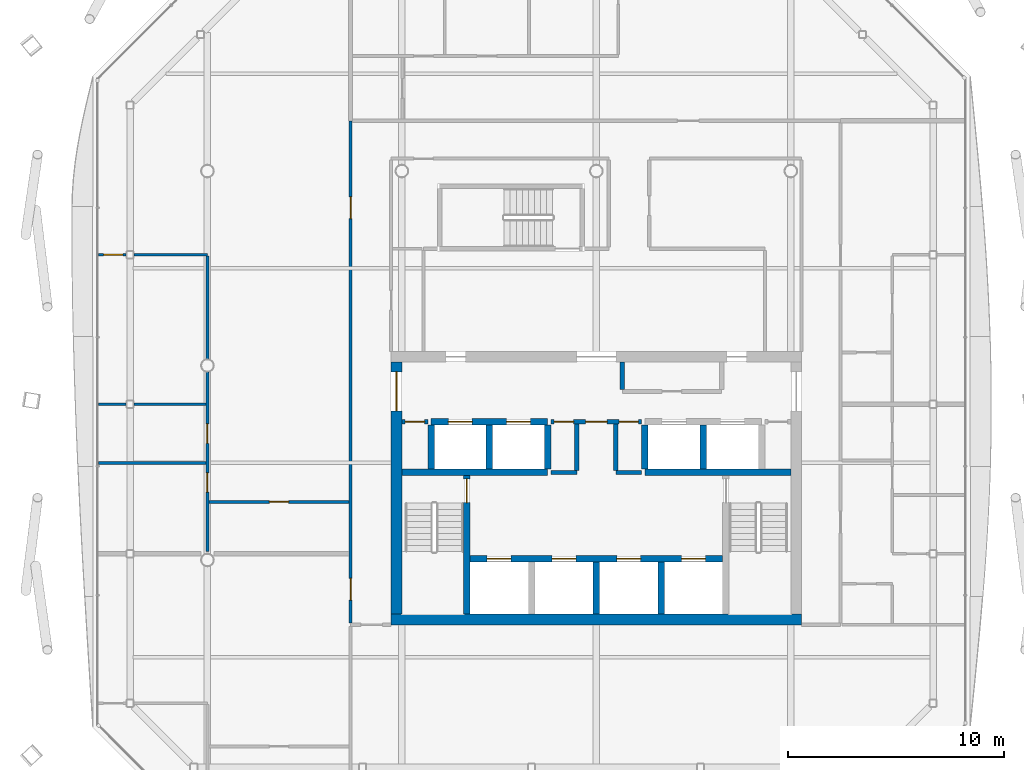
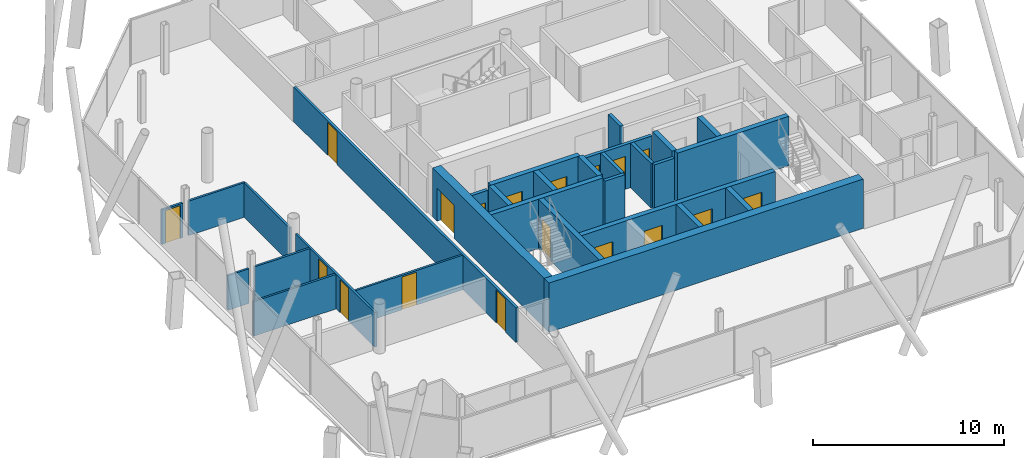
# One storey, part 13 of 19: 30 walls, 18 doors, 18 openings.
"""IFC4 building model written with IfcOpenShell, lengths in metres."""

from ifc_helpers import new_model, si_unit, direction, frame, frame_2d, origin, place, context, subcontext, project, spatial, rectangle, extrude, material, layer, layer_set, type_object, element, fill, save


model = new_model("IFC4")

# Units and contexts
model_context = context("Model", 3, precision=1e-05, world=origin(), true_north=direction((0.0, 1.0)))
body_context = subcontext(model_context, "Body", "Model", "MODEL_VIEW")
ifc_project = project(units=[si_unit("LENGTHUNIT", "METRE"), si_unit("AREAUNIT", "SQUARE_METRE"), si_unit("VOLUMEUNIT", "CUBIC_METRE"), si_unit("PLANEANGLEUNIT", "RADIAN"), si_unit("MASSUNIT", "GRAM", prefix="KILO")], contexts=[model_context])

# Site, building, storey
site_placement = place(None, origin())
site = spatial("IfcSite", under=ifc_project, at=site_placement, CompositionType="ELEMENT")
building_placement = place(site_placement, origin())
building = spatial("IfcBuilding", under=site, at=building_placement, Name="Tskaro Facet Tower", CompositionType="ELEMENT")
storey_placement = place(building_placement, frame((0.0, 0.0, 191.10009765625)))
storey = spatial("IfcBuildingStorey", under=building, at=storey_placement, Name="L48", CompositionType="ELEMENT", Elevation=191.10009765625)

# Wall, openings, doors
ifc_material_1 = material(Name="Concrete C60/75", Category="concrete")
ifc_layer_1 = layer(ifc_material_1, 0.300048828125, Name="Concrete C60/75")
ifc_layer_set_1 = layer_set([ifc_layer_1], Name="Concrete C60/75")
wall_type_1 = type_object("IfcWallType", Name="CORE-SHAFT", PredefinedType="SHEAR", material=ifc_layer_set_1)
wall_1_placement = place(storey_placement, frame((-5.85009765625, -8.949951171875, 0.0), z_axis=(0.0, 0.0, 1.0), x_axis=(1.0, 0.0, 0.0)))
wall_1 = element("IfcWall", 1, at=wall_1_placement, inside=storey, type_object=wall_type_1, Name="Shaft wall W008", PredefinedType="SHEAR", context=body_context, shape_type="SweptSolid", body=[
    extrude(rectangle(XDim=11.7001953125, YDim=0.300048828125, at=frame_2d((5.85009765625, 0.0))), origin(), (0.0, 0.0, 1.0), 3.14990234375),
])
opening_1_placement = place(wall_1_placement, frame((0.800048828125, 0.0, 0.0)))
opening_1 = element("IfcOpeningElement", 2, at=opening_1_placement, cuts=wall_1, Name="Opening LD-FF1", PredefinedType="OPENING", context=body_context, shape_type="SweptSolid", body=[
    extrude(rectangle(XDim=1.10009765625, YDim=2.10009765625, at=frame_2d((0.550048828125, 1.050048828125))), frame((0.0, 0.159912109375, 0.0), z_axis=(0.0, -1.0, 0.0), x_axis=(1.0, 0.0, 0.0)), (0.0, 0.0, 1.0), 0.320068359375),
])
opening_2_placement = place(wall_1_placement, frame((3.800048828125, 0.0, 0.0)))
opening_2 = element("IfcOpeningElement", 3, at=opening_2_placement, cuts=wall_1, Name="Opening LD-FF2", PredefinedType="OPENING", context=body_context, shape_type="SweptSolid", body=[
    extrude(rectangle(XDim=1.10009765625, YDim=2.10009765625, at=frame_2d((0.550048828125, 1.050048828125))), frame((0.0, 0.159912109375, 0.0), z_axis=(0.0, -1.0, 0.0), x_axis=(1.0, 0.0, 0.0)), (0.0, 0.0, 1.0), 0.320068359375),
])
opening_3_placement = place(wall_1_placement, frame((6.800048828125, 0.0, 0.0)))
opening_3 = element("IfcOpeningElement", 4, at=opening_3_placement, cuts=wall_1, Name="Opening LD-SV1", PredefinedType="OPENING", context=body_context, shape_type="SweptSolid", body=[
    extrude(rectangle(XDim=1.10009765625, YDim=2.10009765625, at=frame_2d((0.550048828125, 1.050048828125))), frame((0.0, 0.159912109375, 0.0), z_axis=(0.0, -1.0, 0.0), x_axis=(1.0, 0.0, 0.0)), (0.0, 0.0, 1.0), 0.320068359375),
])
opening_4_placement = place(wall_1_placement, frame((9.800048828125, 0.0, 0.0)))
opening_4 = element("IfcOpeningElement", 5, at=opening_4_placement, cuts=wall_1, Name="Opening LD-SV2", PredefinedType="OPENING", context=body_context, shape_type="SweptSolid", body=[
    extrude(rectangle(XDim=1.10009765625, YDim=2.10009765625, at=frame_2d((0.550048828125, 1.050048828125))), frame((0.0, 0.159912109375, 0.0), z_axis=(0.0, -1.0, 0.0), x_axis=(1.0, 0.0, 0.0)), (0.0, 0.0, 1.0), 0.320068359375),
])
ifc_material_2 = material(Name="Stainless steel", Category="steel")
door_type_1 = type_object("IfcDoorType", Name="D-LANDING", OperationType="NOTDEFINED", PredefinedType="DOOR", material=ifc_material_2)
door_1_placement = place(opening_1_placement, origin())
door_1 = element("IfcDoor", 6, at=door_1_placement, inside=storey, type_object=door_type_1, Name="Landing door FF1", OperationType="DOUBLE_DOOR_SLIDING", OverallHeight=2.10009765625, OverallWidth=1.10009765625, PredefinedType="DOOR", context=body_context, shape_type="SweptSolid", body=[
    extrude(rectangle(XDim=1.10009765625, YDim=2.10009765625, at=frame_2d((0.550048828125, 1.050048828125))), frame((0.0, 0.02490234375, 0.0), z_axis=(0.0, -1.0, 0.0), x_axis=(1.0, 0.0, 0.0)), (0.0, 0.0, 1.0), 0.050048828125),
])
fill(opening_1, door_1)
door_2_placement = place(opening_2_placement, origin())
door_2 = element("IfcDoor", 7, at=door_2_placement, inside=storey, type_object=door_type_1, Name="Landing door FF2", OperationType="DOUBLE_DOOR_SLIDING", OverallHeight=2.10009765625, OverallWidth=1.10009765625, PredefinedType="DOOR", context=body_context, shape_type="SweptSolid", body=[
    extrude(rectangle(XDim=1.10009765625, YDim=2.10009765625, at=frame_2d((0.550048828125, 1.050048828125))), frame((0.0, 0.02490234375, 0.0), z_axis=(0.0, -1.0, 0.0), x_axis=(1.0, 0.0, 0.0)), (0.0, 0.0, 1.0), 0.050048828125),
])
fill(opening_2, door_2)
door_3_placement = place(opening_3_placement, origin())
door_3 = element("IfcDoor", 8, at=door_3_placement, inside=storey, type_object=door_type_1, Name="Landing door SV1", OperationType="DOUBLE_DOOR_SLIDING", OverallHeight=2.10009765625, OverallWidth=1.10009765625, PredefinedType="DOOR", context=body_context, shape_type="SweptSolid", body=[
    extrude(rectangle(XDim=1.10009765625, YDim=2.10009765625, at=frame_2d((0.550048828125, 1.050048828125))), frame((0.0, 0.02490234375, 0.0), z_axis=(0.0, -1.0, 0.0), x_axis=(1.0, 0.0, 0.0)), (0.0, 0.0, 1.0), 0.050048828125),
])
fill(opening_3, door_3)
door_4_placement = place(opening_4_placement, origin())
door_4 = element("IfcDoor", 9, at=door_4_placement, inside=storey, type_object=door_type_1, Name="Landing door SV2", OperationType="DOUBLE_DOOR_SLIDING", OverallHeight=2.10009765625, OverallWidth=1.10009765625, PredefinedType="DOOR", context=body_context, shape_type="SweptSolid", body=[
    extrude(rectangle(XDim=1.10009765625, YDim=2.10009765625, at=frame_2d((0.550048828125, 1.050048828125))), frame((0.0, 0.02490234375, 0.0), z_axis=(0.0, -1.0, 0.0), x_axis=(1.0, 0.0, 0.0)), (0.0, 0.0, 1.0), 0.050048828125),
])
fill(opening_4, door_4)

# Walls
for number, where, z_axis, x_axis, name in (
    (10, (-9.0, -4.949951171875, 0.0), (0.0, 0.0, 1.0), (1.0, 0.0, 0.0), "Shaft wall W016"),
    (11, (2.25, -4.949951171875, 0.0), (0.0, 0.0, 1.0), (1.0, 0.0, 0.0), "Shaft wall W019"),
):
    element("IfcWall", number, at=place(storey_placement, frame(where, z_axis=z_axis, x_axis=x_axis)), inside=storey, type_object=wall_type_1, Name=name, PredefinedType="SHEAR", context=body_context, shape_type="SweptSolid", body=[
        extrude(rectangle(XDim=6.75, YDim=0.300048828125, at=frame_2d((3.375, 0.0))), origin(), (0.0, 0.0, 1.0), 3.14990234375),
    ])

# Wall, openings, doors
wall_2_placement = place(storey_placement, frame((-7.64990234375, -2.60009765625, 0.0), z_axis=(0.0, 0.0, 1.0), x_axis=(1.0, 0.0, 0.0)))
wall_2 = element("IfcWall", 12, at=wall_2_placement, inside=storey, type_object=wall_type_1, Name="Shaft wall W023", PredefinedType="SHEAR", context=body_context, shape_type="SweptSolid", body=[
    extrude(rectangle(XDim=5.39990234375, YDim=0.300048828125, at=frame_2d((2.699951171875, 0.0))), origin(), (0.0, 0.0, 1.0), 3.14990234375),
])
opening_5_placement = place(wall_2_placement, frame((0.800048828125, 0.0, 0.0)))
opening_5 = element("IfcOpeningElement", 13, at=opening_5_placement, cuts=wall_2, Name="Opening LD-HB1", PredefinedType="OPENING", context=body_context, shape_type="SweptSolid", body=[
    extrude(rectangle(XDim=1.10009765625, YDim=2.10009765625, at=frame_2d((0.550048828125, 1.050048828125))), frame((0.0, 0.159912109375, 0.0), z_axis=(0.0, -1.0, 0.0), x_axis=(1.0, 0.0, 0.0)), (0.0, 0.0, 1.0), 0.320068359375),
])
opening_6_placement = place(wall_2_placement, frame((3.5, 0.0, 0.0)))
opening_6 = element("IfcOpeningElement", 14, at=opening_6_placement, cuts=wall_2, Name="Opening LD-HB2", PredefinedType="OPENING", context=body_context, shape_type="SweptSolid", body=[
    extrude(rectangle(XDim=1.10009765625, YDim=2.10009765625, at=frame_2d((0.550048828125, 1.050048828125))), frame((0.0, 0.159912109375, 0.0), z_axis=(0.0, -1.0, 0.0), x_axis=(1.0, 0.0, 0.0)), (0.0, 0.0, 1.0), 0.320068359375),
])
door_5_placement = place(opening_5_placement, origin())
door_5 = element("IfcDoor", 15, at=door_5_placement, inside=storey, type_object=door_type_1, Name="Landing door HB1", OperationType="DOUBLE_DOOR_SLIDING", OverallHeight=2.10009765625, OverallWidth=1.10009765625, PredefinedType="DOOR", context=body_context, shape_type="SweptSolid", body=[
    extrude(rectangle(XDim=1.10009765625, YDim=2.10009765625, at=frame_2d((0.550048828125, 1.050048828125))), frame((0.0, 0.02490234375, 0.0), z_axis=(0.0, -1.0, 0.0), x_axis=(1.0, 0.0, 0.0)), (0.0, 0.0, 1.0), 0.050048828125),
])
fill(opening_5, door_5)
door_6_placement = place(opening_6_placement, origin())
door_6 = element("IfcDoor", 16, at=door_6_placement, inside=storey, type_object=door_type_1, Name="Landing door HB2", OperationType="DOUBLE_DOOR_SLIDING", OverallHeight=2.10009765625, OverallWidth=1.10009765625, PredefinedType="DOOR", context=body_context, shape_type="SweptSolid", body=[
    extrude(rectangle(XDim=1.10009765625, YDim=2.10009765625, at=frame_2d((0.550048828125, 1.050048828125))), frame((0.0, 0.02490234375, 0.0), z_axis=(0.0, -1.0, 0.0), x_axis=(1.0, 0.0, 0.0)), (0.0, 0.0, 1.0), 0.050048828125),
])
fill(opening_6, door_6)

# Wall
wall_3_placement = place(storey_placement, frame((-7.64990234375, -4.800048828125, 0.0), z_axis=(0.0, 0.0, 1.0), x_axis=(0.0, 1.0, 0.0)))
element("IfcWall", 17, at=wall_3_placement, inside=storey, type_object=wall_type_1, Name="Shaft wall W057", PredefinedType="SHEAR", context=body_context, shape_type="SweptSolid", body=[
    extrude(rectangle(XDim=2.050048828125, YDim=0.300048828125, at=frame_2d((1.02490234375, 0.0))), origin(), (0.0, 0.0, 1.0), 3.14990234375),
])

# Wall, opening, door
wall_4_placement = place(storey_placement, frame((-6.0, -11.5, 0.0), z_axis=(0.0, 0.0, 1.0), x_axis=(0.0, 1.0, 0.0)))
wall_4 = element("IfcWall", 18, at=wall_4_placement, inside=storey, type_object=wall_type_1, Name="Shaft wall W061", PredefinedType="SHEAR", context=body_context, shape_type="SweptSolid", body=[
    extrude(rectangle(XDim=6.39990234375, YDim=0.300048828125, at=frame_2d((3.199951171875, 0.0))), origin(), (0.0, 0.0, 1.0), 3.14990234375),
])
opening_7_placement = place(wall_4_placement, frame((5.14990234375, 0.0, 0.0)))
opening_7 = element("IfcOpeningElement", 19, at=opening_7_placement, cuts=wall_4, Name="Opening ST-1-D1", PredefinedType="OPENING", context=body_context, shape_type="SweptSolid", body=[
    extrude(rectangle(XDim=1.10009765625, YDim=2.10009765625, at=frame_2d((0.550048828125, 1.050048828125))), frame((0.0, 0.159912109375, 0.0), z_axis=(0.0, -1.0, 0.0), x_axis=(1.0, 0.0, 0.0)), (0.0, 0.0, 1.0), 0.320068359375),
])
ifc_material_3 = material(Name="Steel", Category="steel")
door_type_2 = type_object("IfcDoorType", Name="D-STAIR", OperationType="NOTDEFINED", PredefinedType="DOOR", material=ifc_material_3)
door_7_placement = place(opening_7_placement, origin())
door_7 = element("IfcDoor", 20, at=door_7_placement, inside=storey, type_object=door_type_2, Name="Stair door 1", OperationType="SINGLE_SWING_LEFT", OverallHeight=2.10009765625, OverallWidth=1.10009765625, PredefinedType="DOOR", context=body_context, shape_type="SweptSolid", body=[
    extrude(rectangle(XDim=1.10009765625, YDim=2.10009765625, at=frame_2d((0.550048828125, 1.050048828125))), frame((0.0, 0.02490234375, 0.0), z_axis=(0.0, -1.0, 0.0), x_axis=(1.0, 0.0, 0.0)), (0.0, 0.0, 1.0), 0.050048828125),
])
fill(opening_7, door_7)

# Walls
for number, where, z_axis, x_axis, name in (
    (21, (-4.949951171875, -4.800048828125, 0.0), (0.0, 0.0, 1.0), (0.0, 1.0, 0.0), "Shaft wall W062"),
    (22, (-2.25, -4.800048828125, 0.0), (0.0, 0.0, 1.0), (0.0, 1.0, 0.0), "Shaft wall W065"),
):
    element("IfcWall", number, at=place(storey_placement, frame(where, z_axis=z_axis, x_axis=x_axis)), inside=storey, type_object=wall_type_1, Name=name, PredefinedType="SHEAR", context=body_context, shape_type="SweptSolid", body=[
        extrude(rectangle(XDim=2.050048828125, YDim=0.300048828125, at=frame_2d((1.02490234375, 0.0))), origin(), (0.0, 0.0, 1.0), 3.14990234375),
    ])
wall_5_placement = place(storey_placement, frame((0.0, -11.5, 0.0), z_axis=(0.0, 0.0, 1.0), x_axis=(0.0, 1.0, 0.0)))
element("IfcWall", 23, at=wall_5_placement, inside=storey, type_object=wall_type_1, Name="Shaft wall W068", PredefinedType="SHEAR", context=body_context, shape_type="SweptSolid", body=[
    extrude(rectangle(XDim=2.39990234375, YDim=0.300048828125, at=frame_2d((1.199951171875, 0.0))), origin(), (0.0, 0.0, 1.0), 3.14990234375),
])
wall_6_placement = place(storey_placement, frame((2.25, -4.800048828125, 0.0), z_axis=(0.0, 0.0, 1.0), x_axis=(0.0, 1.0, 0.0)))
element("IfcWall", 24, at=wall_6_placement, inside=storey, type_object=wall_type_1, Name="Shaft wall W074", PredefinedType="SHEAR", context=body_context, shape_type="SweptSolid", body=[
    extrude(rectangle(XDim=2.050048828125, YDim=0.300048828125, at=frame_2d((1.02490234375, 0.0))), origin(), (0.0, 0.0, 1.0), 3.14990234375),
])
wall_7_placement = place(storey_placement, frame((3.0, -11.5, 0.0), z_axis=(0.0, 0.0, 1.0), x_axis=(0.0, 1.0, 0.0)))
element("IfcWall", 25, at=wall_7_placement, inside=storey, type_object=wall_type_1, Name="Shaft wall W076", PredefinedType="SHEAR", context=body_context, shape_type="SweptSolid", body=[
    extrude(rectangle(XDim=2.39990234375, YDim=0.300048828125, at=frame_2d((1.199951171875, 0.0))), origin(), (0.0, 0.0, 1.0), 3.14990234375),
])
wall_8_placement = place(storey_placement, frame((4.949951171875, -4.800048828125, 0.0), z_axis=(0.0, 0.0, 1.0), x_axis=(0.0, 1.0, 0.0)))
element("IfcWall", 26, at=wall_8_placement, inside=storey, type_object=wall_type_1, Name="Shaft wall W077", PredefinedType="SHEAR", context=body_context, shape_type="SweptSolid", body=[
    extrude(rectangle(XDim=2.050048828125, YDim=0.300048828125, at=frame_2d((1.02490234375, 0.0))), origin(), (0.0, 0.0, 1.0), 3.14990234375),
])
ifc_material_4 = material(Name="Concrete C20/25", Category="concrete")
ifc_layer_2 = layer(ifc_material_4, 0.199951171875, Name="Concrete C20/25")
ifc_layer_set_2 = layer_set([ifc_layer_2], Name="Concrete C20/25")
wall_type_2 = type_object("IfcWallType", Name="CORE-WALL", PredefinedType="SOLIDWALL", material=ifc_layer_set_2)
for number, where, z_axis, x_axis, name in (
    (27, (-2.10009765625, -4.949951171875, 0.0), (0.0, 0.0, 1.0), (1.0, 0.0, 0.0), "Core room wall W017"),
    (28, (0.89990234375, -4.949951171875, 0.0), (0.0, 0.0, 1.0), (1.0, 0.0, 0.0), "Core room wall W018"),
):
    element("IfcWall", number, at=place(storey_placement, frame(where, z_axis=z_axis, x_axis=x_axis)), inside=storey, type_object=wall_type_2, Name=name, PredefinedType="SOLIDWALL", context=body_context, shape_type="SweptSolid", body=[
        extrude(rectangle(XDim=1.2001953125, YDim=0.199951171875, at=frame_2d((0.60009765625, 0.0))), origin(), (0.0, 0.0, 1.0), 2.849853515625),
    ])

# Wall, opening, door
wall_9_placement = place(storey_placement, frame((-7.800048828125, -2.60009765625, 0.0), z_axis=(0.0, 0.0, 1.0), x_axis=(-1.0, 0.0, 0.0)))
wall_9 = element("IfcWall", 29, at=wall_9_placement, inside=storey, type_object=wall_type_2, Name="Core room wall W022", PredefinedType="SOLIDWALL", context=body_context, shape_type="SweptSolid", body=[
    extrude(rectangle(XDim=1.199951171875, YDim=0.199951171875, at=frame_2d((0.60009765625, 0.0))), origin(), (0.0, 0.0, 1.0), 2.849853515625),
])
opening_8_placement = place(wall_9_placement, frame((0.14990234375, 0.0, 0.0)))
opening_8 = element("IfcOpeningElement", 30, at=opening_8_placement, cuts=wall_9, Name="Opening T14-D13", PredefinedType="OPENING", context=body_context, shape_type="SweptSolid", body=[
    extrude(rectangle(XDim=0.89990234375, YDim=2.10009765625, at=frame_2d((0.449951171875, 1.050048828125))), frame((0.0, 0.10986328125, 0.0), z_axis=(0.0, -1.0, 0.0), x_axis=(1.0, 0.0, 0.0)), (0.0, 0.0, 1.0), 0.219970703125),
])
ifc_material_5 = material(Name="Timber", Category="wood")
door_type_3 = type_object("IfcDoorType", Name="D-ROOM", OperationType="NOTDEFINED", PredefinedType="DOOR", material=ifc_material_5)
door_8_placement = place(opening_8_placement, origin())
door_8 = element("IfcDoor", 31, at=door_8_placement, inside=storey, type_object=door_type_3, Name="Door T14-D13", OperationType="SINGLE_SWING_RIGHT", OverallHeight=2.10009765625, OverallWidth=0.89990234375, PredefinedType="DOOR", context=body_context, shape_type="SweptSolid", body=[
    extrude(rectangle(XDim=0.89990234375, YDim=2.10009765625, at=frame_2d((0.449951171875, 1.050048828125))), frame((0.0, 0.02490234375, 0.0), z_axis=(0.0, -1.0, 0.0), x_axis=(1.0, 0.0, 0.0)), (0.0, 0.0, 1.0), 0.050048828125),
])
fill(opening_8, door_8)

# Wall, openings, doors
wall_10_placement = place(storey_placement, frame((2.10009765625, -2.60009765625, 0.0), z_axis=(0.0, 0.0, 1.0), x_axis=(-1.0, 0.0, 0.0)))
wall_10 = element("IfcWall", 32, at=wall_10_placement, inside=storey, type_object=wall_type_2, Name="Core room wall W024", PredefinedType="SOLIDWALL", context=body_context, shape_type="SweptSolid", body=[
    extrude(rectangle(XDim=4.2001953125, YDim=0.199951171875, at=frame_2d((2.10009765625, 0.0))), origin(), (0.0, 0.0, 1.0), 2.849853515625),
])
opening_9_placement = place(wall_10_placement, frame((1.60009765625, 0.0, 0.0)))
opening_9 = element("IfcOpeningElement", 33, at=opening_9_placement, cuts=wall_10, Name="Opening FL-D1", PredefinedType="OPENING", context=body_context, shape_type="SweptSolid", body=[
    extrude(rectangle(XDim=1.0, YDim=2.10009765625, at=frame_2d((0.5, 1.050048828125))), frame((0.0, 0.10986328125, 0.0), z_axis=(0.0, -1.0, 0.0), x_axis=(1.0, 0.0, 0.0)), (0.0, 0.0, 1.0), 0.219970703125),
])
opening_10_placement = place(wall_10_placement, frame((3.14990234375, 0.0, 0.0)))
opening_10 = element("IfcOpeningElement", 34, at=opening_10_placement, cuts=wall_10, Name="Opening T14-D14", PredefinedType="OPENING", context=body_context, shape_type="SweptSolid", body=[
    extrude(rectangle(XDim=0.89990234375, YDim=2.10009765625, at=frame_2d((0.449951171875, 1.050048828125))), frame((0.0, 0.10986328125, 0.0), z_axis=(0.0, -1.0, 0.0), x_axis=(1.0, 0.0, 0.0)), (0.0, 0.0, 1.0), 0.219970703125),
])
opening_11_placement = place(wall_10_placement, frame((0.14990234375, 0.0, 0.0)))
opening_11 = element("IfcOpeningElement", 35, at=opening_11_placement, cuts=wall_10, Name="Opening T14-D15", PredefinedType="OPENING", context=body_context, shape_type="SweptSolid", body=[
    extrude(rectangle(XDim=0.89990234375, YDim=2.10009765625, at=frame_2d((0.449951171875, 1.050048828125))), frame((0.0, 0.10986328125, 0.0), z_axis=(0.0, -1.0, 0.0), x_axis=(1.0, 0.0, 0.0)), (0.0, 0.0, 1.0), 0.219970703125),
])
door_type_4 = type_object("IfcDoorType", Name="D-LOBBY", OperationType="NOTDEFINED", PredefinedType="DOOR", material=ifc_material_3)
door_9_placement = place(opening_9_placement, origin())
door_9 = element("IfcDoor", 36, at=door_9_placement, inside=storey, type_object=door_type_4, Name="Lobby door FL", OperationType="SINGLE_SWING_RIGHT", OverallHeight=2.10009765625, OverallWidth=1.0, PredefinedType="DOOR", context=body_context, shape_type="SweptSolid", body=[
    extrude(rectangle(XDim=1.0, YDim=2.10009765625, at=frame_2d((0.5, 1.050048828125))), frame((0.0, 0.02490234375, 0.0), z_axis=(0.0, -1.0, 0.0), x_axis=(1.0, 0.0, 0.0)), (0.0, 0.0, 1.0), 0.050048828125),
])
fill(opening_9, door_9)
door_10_placement = place(opening_10_placement, origin())
door_10 = element("IfcDoor", 37, at=door_10_placement, inside=storey, type_object=door_type_3, Name="Door T14-D14", OperationType="SINGLE_SWING_RIGHT", OverallHeight=2.10009765625, OverallWidth=0.89990234375, PredefinedType="DOOR", context=body_context, shape_type="SweptSolid", body=[
    extrude(rectangle(XDim=0.89990234375, YDim=2.10009765625, at=frame_2d((0.449951171875, 1.050048828125))), frame((0.0, 0.02490234375, 0.0), z_axis=(0.0, -1.0, 0.0), x_axis=(1.0, 0.0, 0.0)), (0.0, 0.0, 1.0), 0.050048828125),
])
fill(opening_10, door_10)
door_11_placement = place(opening_11_placement, origin())
door_11 = element("IfcDoor", 38, at=door_11_placement, inside=storey, type_object=door_type_3, Name="Door T14-D15", OperationType="SINGLE_SWING_RIGHT", OverallHeight=2.10009765625, OverallWidth=0.89990234375, PredefinedType="DOOR", context=body_context, shape_type="SweptSolid", body=[
    extrude(rectangle(XDim=0.89990234375, YDim=2.10009765625, at=frame_2d((0.449951171875, 1.050048828125))), frame((0.0, 0.02490234375, 0.0), z_axis=(0.0, -1.0, 0.0), x_axis=(1.0, 0.0, 0.0)), (0.0, 0.0, 1.0), 0.050048828125),
])
fill(opening_11, door_11)

# Walls
for number, where, z_axis, x_axis, name in (
    (39, (-0.89990234375, -4.85009765625, 0.0), (0.0, 0.0, 1.0), (0.0, 1.0, 0.0), "Core room wall W066"),
    (40, (0.89990234375, -4.85009765625, 0.0), (0.0, 0.0, 1.0), (0.0, 1.0, 0.0), "Core room wall W070"),
):
    element("IfcWall", number, at=place(storey_placement, frame(where, z_axis=z_axis, x_axis=x_axis)), inside=storey, type_object=wall_type_2, Name=name, PredefinedType="SOLIDWALL", context=body_context, shape_type="SweptSolid", body=[
        extrude(rectangle(XDim=2.150146484375, YDim=0.199951171875, at=frame_2d((1.0751953125, 0.0))), origin(), (0.0, 0.0, 1.0), 2.849853515625),
    ])
wall_11_placement = place(storey_placement, frame((1.199951171875, -1.10009765625, 0.0), z_axis=(0.0, 0.0, 1.0), x_axis=(0.0, 1.0, 0.0)))
element("IfcWall", 41, at=wall_11_placement, inside=storey, type_object=wall_type_2, Name="Core room wall W073", PredefinedType="SOLIDWALL", context=body_context, shape_type="SweptSolid", body=[
    extrude(rectangle(XDim=1.25, YDim=0.199951171875, at=frame_2d((0.625, 0.0))), origin(), (0.0, 0.0, 1.0), 2.849853515625),
])
ifc_material_6 = material(Name="Concrete C40/50", Category="concrete")
ifc_layer_3 = layer(ifc_material_6, 0.5, Name="Concrete C40/50")
ifc_layer_set_3 = layer_set([ifc_layer_3], Name="Concrete C40/50")
wall_type_3 = type_object("IfcWallType", Name="Core wall 500", PredefinedType="SHEAR", material=ifc_layer_set_3)
wall_12_placement = place(storey_placement, frame((-9.5, -11.75, 0.0), z_axis=(0.0, 0.0, 1.0), x_axis=(1.0, 0.0, 0.0)))
element("IfcWall", 42, at=wall_12_placement, inside=storey, type_object=wall_type_3, Name="Core wall CW-Z3S", PredefinedType="SHEAR", context=body_context, shape_type="SweptSolid", body=[
    extrude(rectangle(XDim=19.0, YDim=0.5, at=frame_2d((9.5, 0.0))), origin(), (0.0, 0.0, 1.0), 3.14990234375),
])

# Wall, opening, door
wall_13_placement = place(storey_placement, frame((-9.25, -11.5, 0.0), z_axis=(0.0, 0.0, 1.0), x_axis=(0.0, 1.0, 0.0)))
wall_13 = element("IfcWall", 43, at=wall_13_placement, inside=storey, type_object=wall_type_3, Name="Core wall CW-Z3W", PredefinedType="SHEAR", context=body_context, shape_type="SweptSolid", body=[
    extrude(rectangle(XDim=11.64990234375, YDim=0.5, at=frame_2d((5.824951171875, 0.0))), origin(), (0.0, 0.0, 1.0), 3.14990234375),
])
opening_12_placement = place(wall_13_placement, frame((9.39990234375, 0.0, 0.0)))
opening_12 = element("IfcOpeningElement", 44, at=opening_12_placement, cuts=wall_13, Name="Opening T14-D17", PredefinedType="OPENING", context=body_context, shape_type="SweptSolid", body=[
    extrude(rectangle(XDim=1.800048828125, YDim=2.10009765625, at=frame_2d((0.89990234375, 1.050048828125))), frame((0.0, 0.260009765625, 0.0), z_axis=(0.0, -1.0, 0.0), x_axis=(1.0, 0.0, 0.0)), (0.0, 0.0, 1.0), 0.52001953125),
])
door_type_5 = type_object("IfcDoorType", Name="D-CORE-PAIR", OperationType="NOTDEFINED", PredefinedType="DOOR", material=ifc_material_3)
door_12_placement = place(opening_12_placement, origin())
door_12 = element("IfcDoor", 45, at=door_12_placement, inside=storey, type_object=door_type_5, Name="Door T14-D17", OperationType="DOUBLE_DOOR_SINGLE_SWING", OverallHeight=2.10009765625, OverallWidth=1.800048828125, PredefinedType="DOOR", context=body_context, shape_type="SweptSolid", body=[
    extrude(rectangle(XDim=1.800048828125, YDim=2.10009765625, at=frame_2d((0.89990234375, 1.050048828125))), frame((0.0, 0.02490234375, 0.0), z_axis=(0.0, -1.0, 0.0), x_axis=(1.0, 0.0, 0.0)), (0.0, 0.0, 1.0), 0.050048828125),
])
fill(opening_12, door_12)

ifc_material_7 = material(Name="Gypsum board on steel studs", Category="steel")
ifc_layer_4 = layer(ifc_material_7, 0.125, Name="Gypsum board on steel studs")
ifc_layer_set_4 = layer_set([ifc_layer_4], Name="Gypsum board on steel studs")
wall_type_4 = type_object("IfcWallType", Name="PART", PredefinedType="PARTITIONING", material=ifc_layer_set_4)
wall_14_placement = place(storey_placement, frame((-11.449951171875, -6.31494140625, 0.0), z_axis=(0.0, 0.0, 1.0), x_axis=(-1.0, 0.0, 0.0)))
wall_14 = element("IfcWall", 46, at=wall_14_placement, inside=storey, type_object=wall_type_4, Name="Partition W014", PredefinedType="PARTITIONING", context=body_context, shape_type="SweptSolid", body=[
    extrude(rectangle(XDim=6.487548828125, YDim=0.125, at=frame_2d((3.24365234375, 0.0))), origin(), (0.0, 0.0, 1.0), 2.2099609375),
])
opening_13_placement = place(wall_14_placement, frame((2.78759765625, 0.0, 0.0)))
opening_13 = element("IfcOpeningElement", 47, at=opening_13_placement, cuts=wall_14, Name="Opening T14-D08", PredefinedType="OPENING", context=body_context, shape_type="SweptSolid", body=[
    extrude(rectangle(XDim=0.89990234375, YDim=2.10009765625, at=frame_2d((0.449951171875, 1.050048828125))), frame((0.0, 0.072509765625, 0.0), z_axis=(0.0, -1.0, 0.0), x_axis=(1.0, 0.0, 0.0)), (0.0, 0.0, 1.0), 0.14501953125),
])
door_13_placement = place(opening_13_placement, origin())
door_13 = element("IfcDoor", 48, at=door_13_placement, inside=storey, type_object=door_type_3, Name="Door T14-D08", OperationType="SINGLE_SWING_RIGHT", OverallHeight=2.10009765625, OverallWidth=0.89990234375, PredefinedType="DOOR", context=body_context, shape_type="SweptSolid", body=[
    extrude(rectangle(XDim=0.89990234375, YDim=2.10009765625, at=frame_2d((0.449951171875, 1.050048828125))), frame((0.0, 0.02490234375, 0.0), z_axis=(0.0, -1.0, 0.0), x_axis=(1.0, 0.0, 0.0)), (0.0, 0.0, 1.0), 0.050048828125),
])
fill(opening_13, door_13)

# Walls
wall_15_placement = place(storey_placement, frame((-23.030029296875, -4.514892578125, 0.0), z_axis=(0.0, 0.0, 1.0), x_axis=(1.0, 0.0, 0.0)))
element("IfcWall", 49, at=wall_15_placement, inside=storey, type_object=wall_type_4, Name="Partition W020", PredefinedType="PARTITIONING", context=body_context, shape_type="SweptSolid", body=[
    extrude(rectangle(XDim=4.967529296875, YDim=0.125, at=frame_2d((2.48388671875, 0.0))), origin(), (0.0, 0.0, 1.0), 2.2099609375),
])
wall_16_placement = place(storey_placement, frame((-23.030029296875, -1.794921875, 0.0), z_axis=(0.0, 0.0, 1.0), x_axis=(1.0, 0.0, 0.0)))
element("IfcWall", 50, at=wall_16_placement, inside=storey, type_object=wall_type_4, Name="Partition W027", PredefinedType="PARTITIONING", context=body_context, shape_type="SweptSolid", body=[
    extrude(rectangle(XDim=1.27197265625, YDim=0.125, at=frame_2d((0.635986328125, 0.0))), origin(), (0.0, 0.0, 1.0), 2.2099609375),
])
wall_17_placement = place(storey_placement, frame((-21.407958984375, -1.794921875, 0.0), z_axis=(0.0, 0.0, 1.0), x_axis=(1.0, 0.0, 0.0)))
element("IfcWall", 51, at=wall_17_placement, inside=storey, type_object=wall_type_4, Name="Partition W028", PredefinedType="PARTITIONING", context=body_context, shape_type="SweptSolid", body=[
    extrude(rectangle(XDim=3.345458984375, YDim=0.125, at=frame_2d((1.6728515625, 0.0))), origin(), (0.0, 0.0, 1.0), 2.2099609375),
])

# Wall, opening, door
wall_18_placement = place(storey_placement, frame((-21.758056640625, 5.125, 0.0), z_axis=(0.0, 0.0, 1.0), x_axis=(-1.0, 0.0, 0.0)))
wall_18 = element("IfcWall", 52, at=wall_18_placement, inside=storey, type_object=wall_type_4, Name="Partition W033", PredefinedType="PARTITIONING", context=body_context, shape_type="SweptSolid", body=[
    extrude(rectangle(XDim=1.27197265625, YDim=0.125, at=frame_2d((0.635986328125, 0.0))), origin(), (0.0, 0.0, 1.0), 2.2099609375),
])
opening_14_placement = place(wall_18_placement, frame((0.14990234375, 0.0, 0.0)))
opening_14 = element("IfcOpeningElement", 53, at=opening_14_placement, cuts=wall_18, Name="Opening T14-D27", PredefinedType="OPENING", context=body_context, shape_type="SweptSolid", body=[
    extrude(rectangle(XDim=0.89990234375, YDim=2.10009765625, at=frame_2d((0.449951171875, 1.050048828125))), frame((0.0, 0.072509765625, 0.0), z_axis=(0.0, -1.0, 0.0), x_axis=(1.0, 0.0, 0.0)), (0.0, 0.0, 1.0), 0.14501953125),
])
door_14_placement = place(opening_14_placement, origin())
door_14 = element("IfcDoor", 54, at=door_14_placement, inside=storey, type_object=door_type_3, Name="Door T14-D27", OperationType="SINGLE_SWING_RIGHT", OverallHeight=2.10009765625, OverallWidth=0.89990234375, PredefinedType="DOOR", context=body_context, shape_type="SweptSolid", body=[
    extrude(rectangle(XDim=0.89990234375, YDim=2.10009765625, at=frame_2d((0.449951171875, 1.050048828125))), frame((0.0, 0.02490234375, 0.0), z_axis=(0.0, -1.0, 0.0), x_axis=(1.0, 0.0, 0.0)), (0.0, 0.0, 1.0), 0.050048828125),
])
fill(opening_14, door_14)

# Wall
wall_19_placement = place(storey_placement, frame((-21.407958984375, 5.125, 0.0), z_axis=(0.0, 0.0, 1.0), x_axis=(1.0, 0.0, 0.0)))
element("IfcWall", 55, at=wall_19_placement, inside=storey, type_object=wall_type_4, Name="Partition W034", PredefinedType="PARTITIONING", context=body_context, shape_type="SweptSolid", body=[
    extrude(rectangle(XDim=3.407958984375, YDim=0.125, at=frame_2d((1.7041015625, 0.0))), origin(), (0.0, 0.0, 1.0), 2.2099609375),
])

# Wall, openings, doors
wall_20_placement = place(storey_placement, frame((-18.0, -8.614990234375, 0.0), z_axis=(0.0, 0.0, 1.0), x_axis=(0.0, 1.0, 0.0)))
wall_20 = element("IfcWall", 56, at=wall_20_placement, inside=storey, type_object=wall_type_4, Name="Partition W049", PredefinedType="PARTITIONING", context=body_context, shape_type="SweptSolid", body=[
    extrude(rectangle(XDim=8.31005859375, YDim=0.125, at=frame_2d((4.155029296875, 0.0))), origin(), (0.0, 0.0, 1.0), 2.2099609375),
])
opening_15_placement = place(wall_20_placement, frame((2.75, 0.0, 0.0)))
opening_15 = element("IfcOpeningElement", 57, at=opening_15_placement, cuts=wall_20, Name="Opening T14-D09", PredefinedType="OPENING", context=body_context, shape_type="SweptSolid", body=[
    extrude(rectangle(XDim=0.89990234375, YDim=2.10009765625, at=frame_2d((0.449951171875, 1.050048828125))), frame((0.0, 0.072509765625, 0.0), z_axis=(0.0, -1.0, 0.0), x_axis=(1.0, 0.0, 0.0)), (0.0, 0.0, 1.0), 0.14501953125),
])
opening_16_placement = place(wall_20_placement, frame((5.010009765625, 0.0, 0.0)))
opening_16 = element("IfcOpeningElement", 58, at=opening_16_placement, cuts=wall_20, Name="Opening T14-D11", PredefinedType="OPENING", context=body_context, shape_type="SweptSolid", body=[
    extrude(rectangle(XDim=0.89990234375, YDim=2.10009765625, at=frame_2d((0.449951171875, 1.050048828125))), frame((0.0, 0.072509765625, 0.0), z_axis=(0.0, -1.0, 0.0), x_axis=(1.0, 0.0, 0.0)), (0.0, 0.0, 1.0), 0.14501953125),
])
door_15_placement = place(opening_15_placement, origin())
door_15 = element("IfcDoor", 59, at=door_15_placement, inside=storey, type_object=door_type_3, Name="Door T14-D09", OperationType="SINGLE_SWING_LEFT", OverallHeight=2.10009765625, OverallWidth=0.89990234375, PredefinedType="DOOR", context=body_context, shape_type="SweptSolid", body=[
    extrude(rectangle(XDim=0.89990234375, YDim=2.10009765625, at=frame_2d((0.449951171875, 1.050048828125))), frame((0.0, 0.02490234375, 0.0), z_axis=(0.0, -1.0, 0.0), x_axis=(1.0, 0.0, 0.0)), (0.0, 0.0, 1.0), 0.050048828125),
])
fill(opening_15, door_15)
door_16_placement = place(opening_16_placement, origin())
door_16 = element("IfcDoor", 60, at=door_16_placement, inside=storey, type_object=door_type_3, Name="Door T14-D11", OperationType="SINGLE_SWING_LEFT", OverallHeight=2.10009765625, OverallWidth=0.89990234375, PredefinedType="DOOR", context=body_context, shape_type="SweptSolid", body=[
    extrude(rectangle(XDim=0.89990234375, YDim=2.10009765625, at=frame_2d((0.449951171875, 1.050048828125))), frame((0.0, 0.02490234375, 0.0), z_axis=(0.0, -1.0, 0.0), x_axis=(1.0, 0.0, 0.0)), (0.0, 0.0, 1.0), 0.050048828125),
])
fill(opening_16, door_16)

# Wall
wall_21_placement = place(storey_placement, frame((-18.0, 0.304931640625, 0.0), z_axis=(0.0, 0.0, 1.0), x_axis=(0.0, 1.0, 0.0)))
element("IfcWall", 61, at=wall_21_placement, inside=storey, type_object=wall_type_4, Name="Partition W050", PredefinedType="PARTITIONING", context=body_context, shape_type="SweptSolid", body=[
    extrude(rectangle(XDim=4.757568359375, YDim=0.125, at=frame_2d((2.37890625, 0.0))), origin(), (0.0, 0.0, 1.0), 2.2099609375),
])

# Wall, openings, doors
ifc_layer_5 = layer(ifc_material_7, 0.14990234375, Name="Gypsum board on steel studs")
ifc_layer_set_5 = layer_set([ifc_layer_5], Name="Gypsum board on steel studs")
wall_type_5 = type_object("IfcWallType", Name="PART-CORR", PredefinedType="PARTITIONING", material=ifc_layer_set_5)
wall_22_placement = place(storey_placement, frame((-11.375, -11.925048828125, 0.0), z_axis=(0.0, 0.0, 1.0), x_axis=(0.0, 1.0, 0.0)))
wall_22 = element("IfcWall", 62, at=wall_22_placement, inside=storey, type_object=wall_type_5, Name="Corridor wall W052", PredefinedType="PARTITIONING", context=body_context, shape_type="SweptSolid", body=[
    extrude(rectangle(XDim=23.25, YDim=0.14990234375, at=frame_2d((11.625, 0.0))), origin(), (0.0, 0.0, 1.0), 2.2099609375),
])
opening_17_placement = place(wall_22_placement, frame((1.0673828125, 0.0, 0.0)))
opening_17 = element("IfcOpeningElement", 63, at=opening_17_placement, cuts=wall_22, Name="Opening T14-D04", PredefinedType="OPENING", context=body_context, shape_type="SweptSolid", body=[
    extrude(rectangle(XDim=1.0, YDim=2.10009765625, at=frame_2d((0.5, 1.050048828125))), frame((0.0, 0.0849609375, 0.0), z_axis=(0.0, -1.0, 0.0), x_axis=(1.0, 0.0, 0.0)), (0.0, 0.0, 1.0), 0.169921875),
])
opening_18_placement = place(wall_22_placement, frame((18.72509765625, 0.0, 0.0)))
opening_18 = element("IfcOpeningElement", 64, at=opening_18_placement, cuts=wall_22, Name="Opening T14-D28", PredefinedType="OPENING", context=body_context, shape_type="SweptSolid", body=[
    extrude(rectangle(XDim=1.0, YDim=2.10009765625, at=frame_2d((0.5, 1.050048828125))), frame((0.0, 0.0849609375, 0.0), z_axis=(0.0, -1.0, 0.0), x_axis=(1.0, 0.0, 0.0)), (0.0, 0.0, 1.0), 0.169921875),
])
door_type_6 = type_object("IfcDoorType", Name="D-FLAT-ENTRY", OperationType="NOTDEFINED", PredefinedType="DOOR", material=ifc_material_5)
door_17_placement = place(opening_17_placement, origin())
door_17 = element("IfcDoor", 65, at=door_17_placement, inside=storey, type_object=door_type_6, Name="Door T14-D04", OperationType="SINGLE_SWING_LEFT", OverallHeight=2.10009765625, OverallWidth=1.0, PredefinedType="DOOR", context=body_context, shape_type="SweptSolid", body=[
    extrude(rectangle(XDim=1.0, YDim=2.10009765625, at=frame_2d((0.5, 1.050048828125))), frame((0.0, 0.02490234375, 0.0), z_axis=(0.0, -1.0, 0.0), x_axis=(1.0, 0.0, 0.0)), (0.0, 0.0, 1.0), 0.050048828125),
])
fill(opening_17, door_17)
door_18_placement = place(opening_18_placement, origin())
door_18 = element("IfcDoor", 66, at=door_18_placement, inside=storey, type_object=door_type_6, Name="Door T14-D28", OperationType="SINGLE_SWING_LEFT", OverallHeight=2.10009765625, OverallWidth=1.0, PredefinedType="DOOR", context=body_context, shape_type="SweptSolid", body=[
    extrude(rectangle(XDim=1.0, YDim=2.10009765625, at=frame_2d((0.5, 1.050048828125))), frame((0.0, 0.02490234375, 0.0), z_axis=(0.0, -1.0, 0.0), x_axis=(1.0, 0.0, 0.0)), (0.0, 0.0, 1.0), 0.050048828125),
])
fill(opening_18, door_18)

save(model, "model.ifc")
